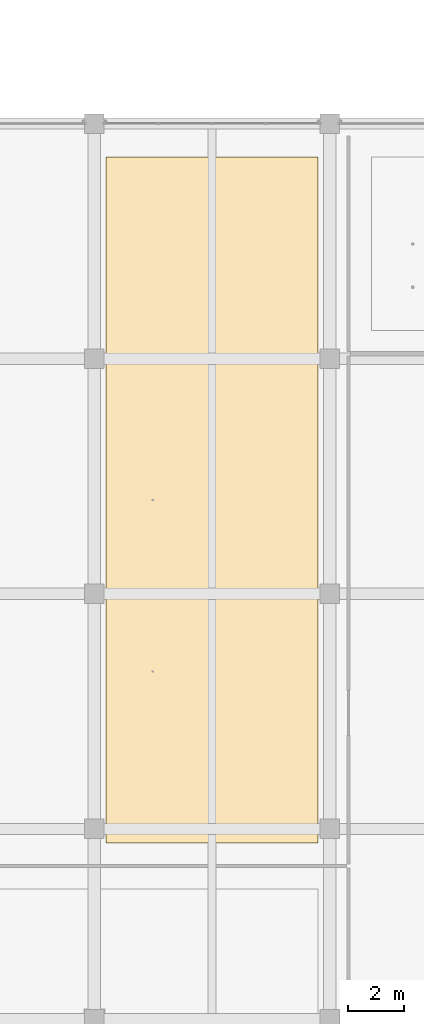
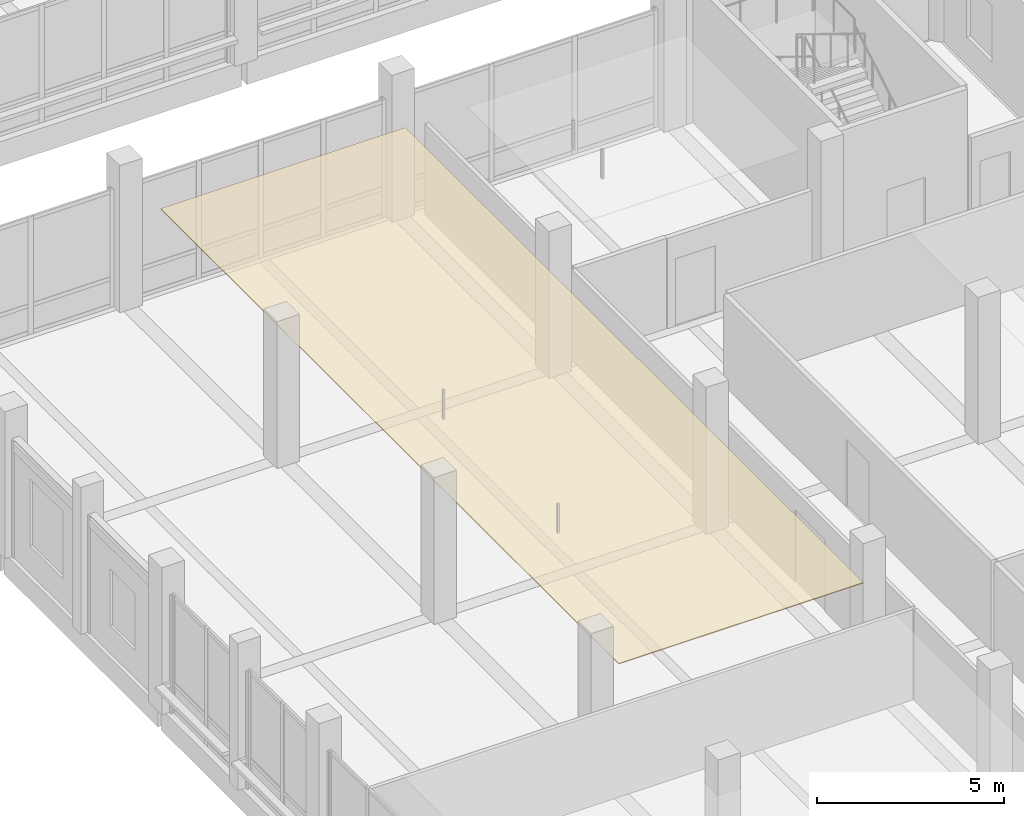
# One storey, part 99 of 128: 1 covering.
"""IFC4 building model written with IfcOpenShell, lengths in metres."""

from ifc_helpers import new_model, si_unit, direction, frame, origin, place, context, subcontext, project, spatial, polyline, outline, extrude, material, layer, layer_set, type_object, element, save


model = new_model("IFC4")

# Units and contexts
model_context = context("Model", 3, precision=1e-05, world=origin(), true_north=direction((0.0, 1.0)))
body_context = subcontext(model_context, "Body", "Model", "MODEL_VIEW")
ifc_project = project(units=[si_unit("LENGTHUNIT", "METRE"), si_unit("AREAUNIT", "SQUARE_METRE"), si_unit("VOLUMEUNIT", "CUBIC_METRE"), si_unit("PLANEANGLEUNIT", "RADIAN"), si_unit("MASSUNIT", "GRAM", prefix="KILO")], contexts=[model_context])

# Site, building, storey
site_placement = place(None, origin())
site = spatial("IfcSite", under=ifc_project, at=site_placement, CompositionType="ELEMENT")
building_placement = place(site_placement, origin())
building = spatial("IfcBuilding", under=site, at=building_placement, Name="Telukmera Botanical Conservatory", CompositionType="ELEMENT")
storey_placement = place(building_placement, frame((0.0, 0.0, 5.39990234375)))
storey = spatial("IfcBuildingStorey", under=building, at=storey_placement, Name="L01", CompositionType="ELEMENT", Elevation=5.39990234375)

# Covering
ifc_material = material(Name="Mineral fibre acoustic ceiling")
ifc_layer = layer(ifc_material, 0.030029296875)
ifc_layer_set = layer_set([ifc_layer], Name="Mineral fibre acoustic ceiling")
covering_type = type_object("IfcCoveringType", Name="COV-CEIL-30", PredefinedType="CEILING", material=ifc_layer_set)
covering_placement = place(storey_placement, frame((0.0, 0.0, 3.6201171875)))
element("IfcCovering", 1, at=covering_placement, inside=storey, type_object=covering_type, Name="L01 Ethnobotany Exhibition Gallery Suspended Acoustic Ceiling", PredefinedType="CEILING", context=body_context, shape_type="SweptSolid", body=[
    extrude(outline(polyline([(17.219970703125, 49.10009765625), (24.780029296875, 49.10009765625), (24.780029296875, 73.60009765625), (17.219970703125, 73.60009765625), (17.219970703125, 49.10009765625)])), origin(), (0.0, 0.0, 1.0), 0.030029296875),
])

save(model, "model.ifc")
